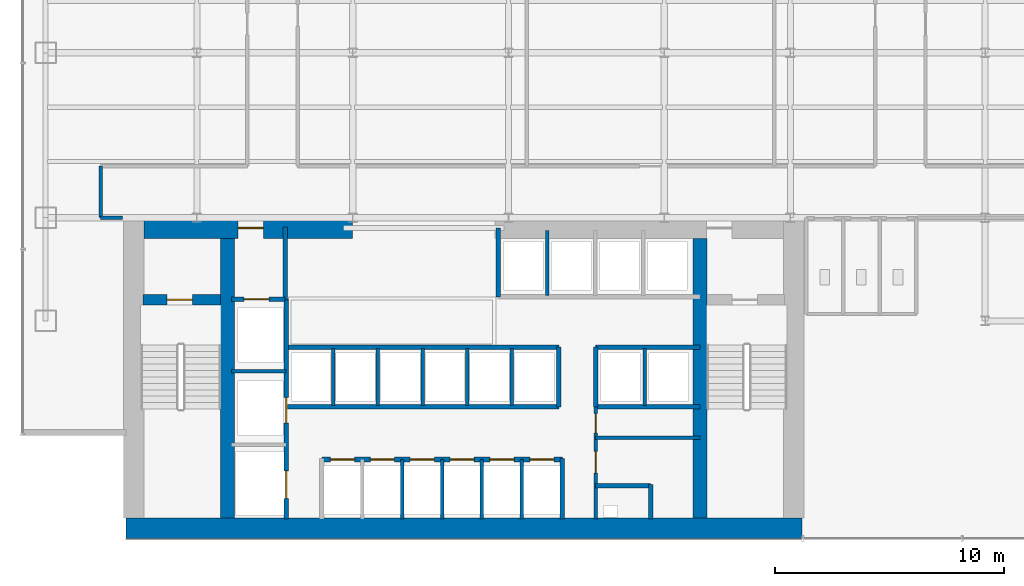
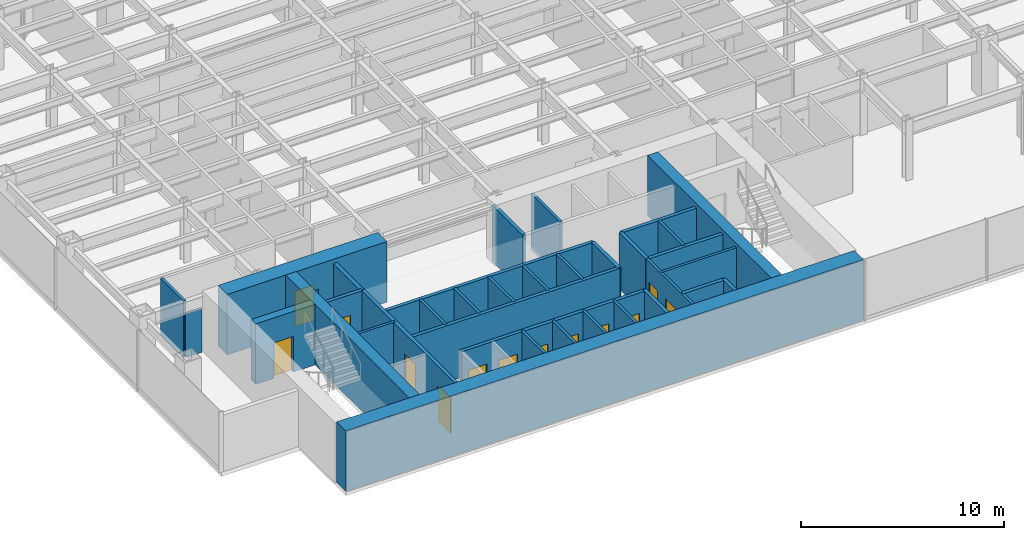
# One storey, part 17 of 22: 35 walls, 13 doors, 13 openings.
"""IFC4 building model written with IfcOpenShell, lengths in metres."""

from ifc_helpers import new_model, si_unit, derived_unit, direction, frame, frame_2d, origin, place, context, subcontext, project, spatial, rectangle, extrude, source, transform, mapped, material, layer, layer_set, type_object, element, fill, save


model = new_model("IFC4")

# Units and contexts
model_context = context("Model", 3, precision=1e-05, world=origin(), true_north=direction((0.0, 1.0)))
body_context = subcontext(model_context, "Body", "Model", "MODEL_VIEW")
ifc_project = project(units=[si_unit("LENGTHUNIT", "METRE"), si_unit("AREAUNIT", "SQUARE_METRE"), si_unit("VOLUMEUNIT", "CUBIC_METRE"), si_unit("PLANEANGLEUNIT", "RADIAN"), si_unit("MASSUNIT", "GRAM", prefix="KILO"), derived_unit("THERMALTRANSMITTANCEUNIT", [(si_unit("POWERUNIT", "WATT"), 1), (si_unit("LENGTHUNIT", "METRE"), -2), (si_unit("THERMODYNAMICTEMPERATUREUNIT", "KELVIN"), -1)])], contexts=[model_context])

# Site, building, storey
site_placement = place(None, origin())
site = spatial("IfcSite", under=ifc_project, at=site_placement, CompositionType="ELEMENT")
building_placement = place(site_placement, origin())
building = spatial("IfcBuilding", under=site, at=building_placement, Name="Skarnbrae Concourse Arena and Tower", CompositionType="ELEMENT")
storey_placement = place(building_placement, frame((0.0, 0.0, 72.64990234375)))
storey = spatial("IfcBuildingStorey", under=building, at=storey_placement, Name="L17", CompositionType="ELEMENT", Elevation=72.64990234375)

# Wall
ifc_material_1 = material(Name="Concrete 70 MPa (C70/85)", Category="concrete")
ifc_layer_1 = layer(ifc_material_1, 0.89990234375)
ifc_layer_set_1 = layer_set([ifc_layer_1], Name="Concrete 70 MPa (C70/85)")
wall_type_1 = type_object("IfcWallType", Name="WALL-CORE-900-C70", PredefinedType="SHEAR", material=ifc_layer_set_1)
shared_shape_1 = source(origin(), body_context, "Body", "SweptSolid", [
    extrude(rectangle(XDim=29.5, YDim=0.89990234375, at=frame_2d((14.75, 0.0))), origin(), (0.0, 0.0, 1.0), 3.650146484375),
])
wall_1_placement = place(storey_placement, frame((4.5, 0.449951171875, 0.0), z_axis=(0.0, 0.0, 1.0), x_axis=(1.0, 0.0, 0.0)))
element("IfcWall", 1, at=wall_1_placement, inside=storey, type_object=wall_type_1, Name="L17 Rear core shear wall CW-S", PredefinedType="SHEAR", context=body_context, shape_type="MappedRepresentation", body=[
    mapped(shared_shape_1, transform((0.0, 0.0, 0.0))),
])

# Wall, opening, door
shared_shape_2 = source(origin(), body_context, "Body", "SweptSolid", [
    extrude(rectangle(XDim=9.099853515625, YDim=0.89990234375, at=frame_2d((4.5498046875, 0.0))), origin(), (0.0, 0.0, 1.0), 3.650146484375),
])
wall_2_placement = place(storey_placement, frame((5.300048828125, 13.550048828125, 0.0), z_axis=(0.0, 0.0, 1.0), x_axis=(1.0, 0.0, 0.0)))
wall_2 = element("IfcWall", 2, at=wall_2_placement, inside=storey, type_object=wall_type_1, Name="L17 Rear core shear wall CW-NW", PredefinedType="SHEAR", context=body_context, shape_type="MappedRepresentation", body=[
    mapped(shared_shape_2, transform((0.0, 0.0, 0.0))),
])
opening_1_placement = place(wall_2_placement, frame((4.10009765625, 0.0, 0.0)))
opening_1 = element("IfcOpeningElement", 3, at=opening_1_placement, cuts=wall_2, Name="Opening DT-03", PredefinedType="OPENING", context=body_context, shape_type="SweptSolid", body=[
    extrude(rectangle(XDim=1.10009765625, YDim=2.14990234375, at=frame_2d((0.550048828125, 1.074951171875))), frame((0.0, 0.4599609375, 0.0), z_axis=(0.0, -1.0, 0.0), x_axis=(1.0, 0.0, 0.0)), (0.0, 0.0, 1.0), 0.919921875),
])
ifc_material_2 = material(Name="Steel CSA G40.21 350W", Category="steel")
door_type_1 = type_object("IfcDoorType", Name="DOOR-FIRE-1100-90M", OperationType="NOTDEFINED", PredefinedType="DOOR", material=ifc_material_2)
shared_shape_3 = source(origin(), body_context, "Body", "SweptSolid", [
    extrude(rectangle(XDim=1.10009765625, YDim=2.14990234375, at=frame_2d((0.550048828125, 1.074951171875))), frame((0.0, 0.02490234375, 0.0), z_axis=(0.0, -1.0, 0.0), x_axis=(1.0, 0.0, 0.0)), (0.0, 0.0, 1.0), 0.050048828125),
])
door_1_placement = place(opening_1_placement, origin())
door_1 = element("IfcDoor", 4, at=door_1_placement, inside=storey, type_object=door_type_1, Name="D-0633 Firefighting Lobby Exit Door", OperationType="SINGLE_SWING_RIGHT", OverallHeight=2.14990234375, OverallWidth=1.10009765625, PredefinedType="DOOR", context=body_context, shape_type="MappedRepresentation", body=[
    mapped(shared_shape_3, transform((0.0, 0.0, 0.0))),
])
fill(opening_1, door_1)

# Walls
ifc_layer_2 = layer(ifc_material_1, 0.60009765625)
ifc_layer_set_2 = layer_set([ifc_layer_2], Name="Concrete 70 MPa (C70/85)")
wall_type_2 = type_object("IfcWallType", Name="WALL-CORE-600-C70", PredefinedType="SHEAR", material=ifc_layer_set_2)
shared_shape_4 = source(origin(), body_context, "Body", "SweptSolid", [
    extrude(rectangle(XDim=12.2001953125, YDim=0.60009765625, at=frame_2d((6.10009765625, 0.0))), origin(), (0.0, 0.0, 1.0), 3.650146484375),
])
for number, where, z_axis, x_axis, name in (
    (5, (8.93994140625, 0.89990234375, 0.0), (0.0, 0.0, 1.0), (0.0, 1.0, 0.0), "L17 Rear core shear wall CW-WEB-W"),
    (6, (29.56005859375, 0.89990234375, 0.0), (0.0, 0.0, 1.0), (0.0, 1.0, 0.0), "L17 Rear core shear wall CW-WEB-E"),
):
    element("IfcWall", number, at=place(storey_placement, frame(where, z_axis=z_axis, x_axis=x_axis)), inside=storey, type_object=wall_type_2, Name=name, PredefinedType="SHEAR", context=body_context, shape_type="MappedRepresentation", body=[
        mapped(shared_shape_4, transform((0.0, 0.0, 0.0))),
    ])

# Wall, opening, door
ifc_material_3 = material(Name="Concrete 50 MPa (C50/60)", Category="concrete")
ifc_layer_3 = layer(ifc_material_3, 0.449951171875)
ifc_layer_set_3 = layer_set([ifc_layer_3], Name="Concrete 50 MPa (C50/60)")
wall_type_3 = type_object("IfcWallType", Name="WALL-CORE-450-C50", PredefinedType="SHEAR", material=ifc_layer_set_3)
shared_shape_5 = source(origin(), body_context, "Body", "SweptSolid", [
    extrude(rectangle(XDim=3.389892578125, YDim=0.449951171875, at=frame_2d((1.69482421875, 0.0))), origin(), (0.0, 0.0, 1.0), 3.650146484375),
])
wall_3_placement = place(storey_placement, frame((5.25, 10.419921875, 0.0), z_axis=(0.0, 0.0, 1.0), x_axis=(1.0, 0.0, 0.0)))
wall_3 = element("IfcWall", 7, at=wall_3_placement, inside=storey, type_object=wall_type_3, Name="L17 Rear core shear wall CW-ST1-N", PredefinedType="SHEAR", context=body_context, shape_type="MappedRepresentation", body=[
    mapped(shared_shape_5, transform((0.0, 0.0, 0.0))),
])
opening_2_placement = place(wall_3_placement, frame((1.050048828125, 0.0, 0.0)))
opening_2 = element("IfcOpeningElement", 8, at=opening_2_placement, cuts=wall_3, Name="Opening DT-03", PredefinedType="OPENING", context=body_context, shape_type="SweptSolid", body=[
    extrude(rectangle(XDim=1.10009765625, YDim=2.14990234375, at=frame_2d((0.550048828125, 1.074951171875))), frame((0.0, 0.23486328125, 0.0), z_axis=(0.0, -1.0, 0.0), x_axis=(1.0, 0.0, 0.0)), (0.0, 0.0, 1.0), 0.469970703125),
])
door_2_placement = place(opening_2_placement, frame((1.10009765625, 0.0, 0.0), z_axis=(0.0, 0.0, 1.0), x_axis=(-1.0, 0.0, 0.0)))
door_2 = element("IfcDoor", 9, at=door_2_placement, inside=storey, type_object=door_type_1, Name="D-0631 Stair ST-1 Door", OperationType="SINGLE_SWING_LEFT", OverallHeight=2.14990234375, OverallWidth=1.10009765625, PredefinedType="DOOR", context=body_context, shape_type="MappedRepresentation", body=[
    mapped(shared_shape_3, transform((0.0, 0.0, 0.0))),
])
fill(opening_2, door_2)

# Walls
ifc_material_4 = material(Name="Gypsum board on cold-formed steel studs", Category="steel")
ifc_layer_4 = layer(ifc_material_4, 0.14990234375)
ifc_layer_set_4 = layer_set([ifc_layer_4], Name="Gypsum board on cold-formed steel studs")
wall_type_4 = type_object("IfcWallType", Name="WALL-PART-150-1HR", PredefinedType="PARTITIONING", material=ifc_layer_set_4)
shared_shape_6 = source(origin(), body_context, "Body", "SweptSolid", [
    extrude(rectangle(XDim=0.9501953125, YDim=0.14990234375, at=frame_2d((0.47509765625, 0.0))), origin(), (0.0, 0.0, 1.0), 2.625),
])
wall_4_placement = place(storey_placement, frame((4.35009765625, 14.0, 0.0), z_axis=(0.0, 0.0, 1.0), x_axis=(-1.0, 0.0, 0.0)))
element("IfcWall", 10, at=wall_4_placement, inside=storey, type_object=wall_type_4, Name="L17 Interior partition wall W-L17-COR-01", PredefinedType="PARTITIONING", context=body_context, shape_type="MappedRepresentation", body=[
    mapped(shared_shape_6, transform((0.0, 0.0, 0.0))),
])
ifc_layer_5 = layer(ifc_material_4, 0.199951171875)
ifc_layer_set_5 = layer_set([ifc_layer_5], Name="Gypsum board on cold-formed steel studs")
wall_type_5 = type_object("IfcWallType", Name="WALL-PART-200-2HR", PredefinedType="PARTITIONING", material=ifc_layer_set_5)
shared_shape_7 = source(origin(), body_context, "Body", "SweptSolid", [
    extrude(rectangle(XDim=3.18017578125, YDim=0.199951171875, at=frame_2d((1.590087890625, 0.0))), origin(), (0.0, 0.0, 1.0), 3.400146484375),
])
wall_5_placement = place(storey_placement, frame((11.449951171875, 10.419921875, 0.0), z_axis=(0.0, 0.0, 1.0), x_axis=(0.0, 1.0, 0.0)))
element("IfcWall", 11, at=wall_5_placement, inside=storey, type_object=wall_type_5, Name="L17 Interior partition wall W-L17-FFL-E", PredefinedType="PARTITIONING", context=body_context, shape_type="MappedRepresentation", body=[
    mapped(shared_shape_7, transform((0.0, 0.0, 0.0))),
])

# Wall, opening, door
shared_shape_8 = source(origin(), body_context, "Body", "SweptSolid", [
    extrude(rectangle(XDim=2.349853515625, YDim=0.199951171875, at=frame_2d((1.1748046875, 0.0))), origin(), (0.0, 0.0, 1.0), 3.400146484375),
])
wall_6_placement = place(storey_placement, frame((9.10009765625, 10.449951171875, 0.0), z_axis=(0.0, 0.0, 1.0), x_axis=(1.0, 0.0, 0.0)))
wall_6 = element("IfcWall", 12, at=wall_6_placement, inside=storey, type_object=wall_type_5, Name="L17 Interior partition wall W-L17-FL1-N", PredefinedType="PARTITIONING", context=body_context, shape_type="MappedRepresentation", body=[
    mapped(shared_shape_8, transform((0.0, 0.0, 0.0))),
])
opening_3_placement = place(wall_6_placement, frame((0.550048828125, 0.0, 0.0)))
opening_3 = element("IfcOpeningElement", 13, at=opening_3_placement, cuts=wall_6, Name="Opening LD-01", PredefinedType="OPENING", context=body_context, shape_type="SweptSolid", body=[
    extrude(rectangle(XDim=1.10009765625, YDim=2.14990234375, at=frame_2d((0.550048828125, 1.074951171875))), frame((0.0, 0.10986328125, 0.0), z_axis=(0.0, -1.0, 0.0), x_axis=(1.0, 0.0, 0.0)), (0.0, 0.0, 1.0), 0.219970703125),
])
door_type_2 = type_object("IfcDoorType", Name="DOOR-LIFT-SLIDE-1100", OperationType="SLIDING_TO_LEFT", PredefinedType="DOOR", material=ifc_material_2)
door_3_placement = place(opening_3_placement, origin())
door_3 = element("IfcDoor", 14, at=door_3_placement, inside=storey, type_object=door_type_2, Name="D-0635 Firefighting Lift Landing Door FL-01", OperationType="SLIDING_TO_LEFT", OverallHeight=2.14990234375, OverallWidth=1.10009765625, PredefinedType="DOOR", context=body_context, shape_type="MappedRepresentation", body=[
    mapped(shared_shape_3, transform((0.0, 0.0, 0.0))),
])
fill(opening_3, door_3)

# Wall, openings, doors
shared_shape_9 = source(origin(), body_context, "Body", "SweptSolid", [
    extrude(rectangle(XDim=9.599853515625, YDim=0.199951171875, at=frame_2d((4.7998046875, 0.0))), origin(), (0.0, 0.0, 1.0), 3.400146484375),
])
wall_7_placement = place(storey_placement, frame((11.5, 0.85009765625, 0.0), z_axis=(0.0, 0.0, 1.0), x_axis=(0.0, 1.0, 0.0)))
wall_7 = element("IfcWall", 15, at=wall_7_placement, inside=storey, type_object=wall_type_5, Name="L17 Interior partition wall W-L17-FL-E", PredefinedType="PARTITIONING", context=body_context, shape_type="MappedRepresentation", body=[
    mapped(shared_shape_9, transform((0.0, 0.0, 0.0))),
])
opening_4_placement = place(wall_7_placement, frame((4.199951171875, 0.0, 0.0)))
opening_4 = element("IfcOpeningElement", 16, at=opening_4_placement, cuts=wall_7, Name="Opening LD-01", PredefinedType="OPENING", context=body_context, shape_type="SweptSolid", body=[
    extrude(rectangle(XDim=1.10009765625, YDim=2.14990234375, at=frame_2d((0.550048828125, 1.074951171875))), frame((0.0, 0.10986328125, 0.0), z_axis=(0.0, -1.0, 0.0), x_axis=(1.0, 0.0, 0.0)), (0.0, 0.0, 1.0), 0.219970703125),
])
opening_5_placement = place(wall_7_placement, frame((0.89990234375, 0.0, 0.0)))
opening_5 = element("IfcOpeningElement", 17, at=opening_5_placement, cuts=wall_7, Name="Opening LD-02", PredefinedType="OPENING", context=body_context, shape_type="SweptSolid", body=[
    extrude(rectangle(XDim=1.199951171875, YDim=2.14990234375, at=frame_2d((0.60009765625, 1.074951171875))), frame((0.0, 0.10986328125, 0.0), z_axis=(0.0, -1.0, 0.0), x_axis=(1.0, 0.0, 0.0)), (0.0, 0.0, 1.0), 0.219970703125),
])
door_4_placement = place(opening_4_placement, frame((1.10009765625, 0.0, 0.0), z_axis=(0.0, 0.0, 1.0), x_axis=(-1.0, 0.0, 0.0)))
door_4 = element("IfcDoor", 18, at=door_4_placement, inside=storey, type_object=door_type_2, Name="D-0636 Firefighting Lift Landing Door FL-02", OperationType="SLIDING_TO_LEFT", OverallHeight=2.14990234375, OverallWidth=1.10009765625, PredefinedType="DOOR", context=body_context, shape_type="MappedRepresentation", body=[
    mapped(shared_shape_3, transform((0.0, 0.0, 0.0))),
])
fill(opening_4, door_4)
door_type_3 = type_object("IfcDoorType", Name="DOOR-LIFT-SLIDE-1200", OperationType="SLIDING_TO_LEFT", PredefinedType="DOOR", material=ifc_material_2)
shared_shape_10 = source(origin(), body_context, "Body", "SweptSolid", [
    extrude(rectangle(XDim=1.199951171875, YDim=2.14990234375, at=frame_2d((0.60009765625, 1.074951171875))), frame((0.0, 0.02490234375, 0.0), z_axis=(0.0, -1.0, 0.0), x_axis=(1.0, 0.0, 0.0)), (0.0, 0.0, 1.0), 0.050048828125),
])
door_5_placement = place(opening_5_placement, frame((1.199951171875, 0.0, 0.0), z_axis=(0.0, 0.0, 1.0), x_axis=(-1.0, 0.0, 0.0)))
door_5 = element("IfcDoor", 19, at=door_5_placement, inside=storey, type_object=door_type_3, Name="D-0637 Service Lift Landing Door SV-01", OperationType="SLIDING_TO_LEFT", OverallHeight=2.14990234375, OverallWidth=1.199951171875, PredefinedType="DOOR", context=body_context, shape_type="MappedRepresentation", body=[
    mapped(shared_shape_10, transform((0.0, 0.0, 0.0))),
])
fill(opening_5, door_5)

# Walls
ifc_layer_6 = layer(ifc_material_4, 0.14990234375)
ifc_layer_set_6 = layer_set([ifc_layer_6], Name="Gypsum board on cold-formed steel studs")
wall_type_6 = type_object("IfcWallType", Name="WALL-PART-150", PredefinedType="PARTITIONING", material=ifc_layer_set_6)
shared_shape_11 = source(origin(), body_context, "Body", "SweptSolid", [
    extrude(rectangle(XDim=2.39990234375, YDim=0.14990234375, at=frame_2d((1.199951171875, 0.0))), origin(), (0.0, 0.0, 1.0), 3.400146484375),
])
wall_8_placement = place(storey_placement, frame((9.10009765625, 7.300048828125, 0.0), z_axis=(0.0, 0.0, 1.0), x_axis=(1.0, 0.0, 0.0)))
element("IfcWall", 20, at=wall_8_placement, inside=storey, type_object=wall_type_6, Name="L17 Interior partition wall W-L17-FL-D2", PredefinedType="PARTITIONING", context=body_context, shape_type="MappedRepresentation", body=[
    mapped(shared_shape_11, transform((0.0, 0.0, 0.0))),
])
shared_shape_12 = source(origin(), body_context, "Body", "SweptSolid", [
    extrude(rectangle(XDim=2.64990234375, YDim=0.199951171875, at=frame_2d((1.324951171875, 0.0))), origin(), (0.0, 0.0, 1.0), 3.400146484375),
])
wall_9_placement = place(storey_placement, frame((23.550048828125, 0.85009765625, 0.0), z_axis=(0.0, 0.0, 1.0), x_axis=(0.0, 1.0, 0.0)))
element("IfcWall", 21, at=wall_9_placement, inside=storey, type_object=wall_type_5, Name="L17 Interior partition wall W-L17-B1-E", PredefinedType="PARTITIONING", context=body_context, shape_type="MappedRepresentation", body=[
    mapped(shared_shape_12, transform((0.0, 0.0, 0.0))),
])

# Wall, openings, doors
shared_shape_13 = source(origin(), body_context, "Body", "SweptSolid", [
    extrude(rectangle(XDim=10.5, YDim=0.199951171875, at=frame_2d((5.25, 0.0))), origin(), (0.0, 0.0, 1.0), 3.400146484375),
])
wall_10_placement = place(storey_placement, frame((13.050048828125, 3.449951171875, 0.0), z_axis=(0.0, 0.0, 1.0), x_axis=(1.0, 0.0, 0.0)))
wall_10 = element("IfcWall", 22, at=wall_10_placement, inside=storey, type_object=wall_type_5, Name="L17 Interior partition wall W-L17-B1-N", PredefinedType="PARTITIONING", context=body_context, shape_type="MappedRepresentation", body=[
    mapped(shared_shape_13, transform((0.0, 0.0, 0.0))),
])
opening_6_placement = place(wall_10_placement, frame((0.3798828125, 0.0, 0.0)))
opening_6 = element("IfcOpeningElement", 23, at=opening_6_placement, cuts=wall_10, Name="Opening LD-03", PredefinedType="OPENING", context=body_context, shape_type="SweptSolid", body=[
    extrude(rectangle(XDim=1.050048828125, YDim=2.14990234375, at=frame_2d((0.52490234375, 1.074951171875))), frame((0.0, 0.10986328125, 0.0), z_axis=(0.0, -1.0, 0.0), x_axis=(1.0, 0.0, 0.0)), (0.0, 0.0, 1.0), 0.219970703125),
])
opening_7_placement = place(wall_10_placement, frame((2.1201171875, 0.0, 0.0)))
opening_7 = element("IfcOpeningElement", 24, at=opening_7_placement, cuts=wall_10, Name="Opening LD-03", PredefinedType="OPENING", context=body_context, shape_type="SweptSolid", body=[
    extrude(rectangle(XDim=1.050048828125, YDim=2.14990234375, at=frame_2d((0.52490234375, 1.074951171875))), frame((0.0, 0.10986328125, 0.0), z_axis=(0.0, -1.0, 0.0), x_axis=(1.0, 0.0, 0.0)), (0.0, 0.0, 1.0), 0.219970703125),
])
opening_8_placement = place(wall_10_placement, frame((3.860107421875, 0.0, 0.0)))
opening_8 = element("IfcOpeningElement", 25, at=opening_8_placement, cuts=wall_10, Name="Opening LD-03", PredefinedType="OPENING", context=body_context, shape_type="SweptSolid", body=[
    extrude(rectangle(XDim=1.050048828125, YDim=2.14990234375, at=frame_2d((0.52490234375, 1.074951171875))), frame((0.0, 0.10986328125, 0.0), z_axis=(0.0, -1.0, 0.0), x_axis=(1.0, 0.0, 0.0)), (0.0, 0.0, 1.0), 0.219970703125),
])
opening_9_placement = place(wall_10_placement, frame((5.60009765625, 0.0, 0.0)))
opening_9 = element("IfcOpeningElement", 26, at=opening_9_placement, cuts=wall_10, Name="Opening LD-03", PredefinedType="OPENING", context=body_context, shape_type="SweptSolid", body=[
    extrude(rectangle(XDim=1.050048828125, YDim=2.14990234375, at=frame_2d((0.52490234375, 1.074951171875))), frame((0.0, 0.10986328125, 0.0), z_axis=(0.0, -1.0, 0.0), x_axis=(1.0, 0.0, 0.0)), (0.0, 0.0, 1.0), 0.219970703125),
])
opening_10_placement = place(wall_10_placement, frame((7.340087890625, 0.0, 0.0)))
opening_10 = element("IfcOpeningElement", 27, at=opening_10_placement, cuts=wall_10, Name="Opening LD-03", PredefinedType="OPENING", context=body_context, shape_type="SweptSolid", body=[
    extrude(rectangle(XDim=1.050048828125, YDim=2.14990234375, at=frame_2d((0.52490234375, 1.074951171875))), frame((0.0, 0.10986328125, 0.0), z_axis=(0.0, -1.0, 0.0), x_axis=(1.0, 0.0, 0.0)), (0.0, 0.0, 1.0), 0.219970703125),
])
opening_11_placement = place(wall_10_placement, frame((9.080078125, 0.0, 0.0)))
opening_11 = element("IfcOpeningElement", 28, at=opening_11_placement, cuts=wall_10, Name="Opening LD-03", PredefinedType="OPENING", context=body_context, shape_type="SweptSolid", body=[
    extrude(rectangle(XDim=1.050048828125, YDim=2.14990234375, at=frame_2d((0.52490234375, 1.074951171875))), frame((0.0, 0.10986328125, 0.0), z_axis=(0.0, -1.0, 0.0), x_axis=(1.0, 0.0, 0.0)), (0.0, 0.0, 1.0), 0.219970703125),
])
ifc_material_5 = material(Name="Bronze anodised aluminium 6063-T6", Category="aluminium")
door_type_4 = type_object("IfcDoorType", Name="DOOR-LIFT-SLIDE-1050", OperationType="SLIDING_TO_LEFT", PredefinedType="DOOR", material=ifc_material_5)
shared_shape_14 = source(origin(), body_context, "Body", "SweptSolid", [
    extrude(rectangle(XDim=1.050048828125, YDim=2.14990234375, at=frame_2d((0.52490234375, 1.074951171875))), frame((0.0, 0.02490234375, 0.0), z_axis=(0.0, -1.0, 0.0), x_axis=(1.0, 0.0, 0.0)), (0.0, 0.0, 1.0), 0.050048828125),
])
door_6_placement = place(opening_6_placement, origin())
door_6 = element("IfcDoor", 29, at=door_6_placement, inside=storey, type_object=door_type_4, Name="D-0638 Passenger Lift Landing Door PL-1A", OperationType="SLIDING_TO_LEFT", OverallHeight=2.14990234375, OverallWidth=1.050048828125, PredefinedType="DOOR", context=body_context, shape_type="MappedRepresentation", body=[
    mapped(shared_shape_14, transform((0.0, 0.0, 0.0))),
])
fill(opening_6, door_6)
door_7_placement = place(opening_7_placement, origin())
door_7 = element("IfcDoor", 30, at=door_7_placement, inside=storey, type_object=door_type_4, Name="D-0639 Passenger Lift Landing Door PL-1B", OperationType="SLIDING_TO_LEFT", OverallHeight=2.14990234375, OverallWidth=1.050048828125, PredefinedType="DOOR", context=body_context, shape_type="MappedRepresentation", body=[
    mapped(shared_shape_14, transform((0.0, 0.0, 0.0))),
])
fill(opening_7, door_7)
door_8_placement = place(opening_8_placement, origin())
door_8 = element("IfcDoor", 31, at=door_8_placement, inside=storey, type_object=door_type_4, Name="D-0640 Passenger Lift Landing Door PL-1C", OperationType="SLIDING_TO_LEFT", OverallHeight=2.14990234375, OverallWidth=1.050048828125, PredefinedType="DOOR", context=body_context, shape_type="MappedRepresentation", body=[
    mapped(shared_shape_14, transform((0.0, 0.0, 0.0))),
])
fill(opening_8, door_8)
door_9_placement = place(opening_9_placement, origin())
door_9 = element("IfcDoor", 32, at=door_9_placement, inside=storey, type_object=door_type_4, Name="D-0641 Passenger Lift Landing Door PL-1D", OperationType="SLIDING_TO_LEFT", OverallHeight=2.14990234375, OverallWidth=1.050048828125, PredefinedType="DOOR", context=body_context, shape_type="MappedRepresentation", body=[
    mapped(shared_shape_14, transform((0.0, 0.0, 0.0))),
])
fill(opening_9, door_9)
door_10_placement = place(opening_10_placement, origin())
door_10 = element("IfcDoor", 33, at=door_10_placement, inside=storey, type_object=door_type_4, Name="D-0642 Passenger Lift Landing Door PL-1E", OperationType="SLIDING_TO_LEFT", OverallHeight=2.14990234375, OverallWidth=1.050048828125, PredefinedType="DOOR", context=body_context, shape_type="MappedRepresentation", body=[
    mapped(shared_shape_14, transform((0.0, 0.0, 0.0))),
])
fill(opening_10, door_10)
door_11_placement = place(opening_11_placement, origin())
door_11 = element("IfcDoor", 34, at=door_11_placement, inside=storey, type_object=door_type_4, Name="D-0643 Passenger Lift Landing Door PL-1F", OperationType="SLIDING_TO_LEFT", OverallHeight=2.14990234375, OverallWidth=1.050048828125, PredefinedType="DOOR", context=body_context, shape_type="MappedRepresentation", body=[
    mapped(shared_shape_14, transform((0.0, 0.0, 0.0))),
])
fill(opening_11, door_11)

# Walls
shared_shape_15 = source(origin(), body_context, "Body", "SweptSolid", [
    extrude(rectangle(XDim=2.599853515625, YDim=0.14990234375, at=frame_2d((1.2998046875, 0.0))), origin(), (0.0, 0.0, 1.0), 3.400146484375),
])
for number, where, z_axis, x_axis, name in (
    (35, (16.56005859375, 0.85009765625, 0.0), (0.0, 0.0, 1.0), (0.0, 1.0, 0.0), "L17 Interior partition wall W-L17-B1-P2"),
    (36, (18.300048828125, 0.85009765625, 0.0), (0.0, 0.0, 1.0), (0.0, 1.0, 0.0), "L17 Interior partition wall W-L17-B1-P3"),
    (37, (20.0400390625, 0.85009765625, 0.0), (0.0, 0.0, 1.0), (0.0, 1.0, 0.0), "L17 Interior partition wall W-L17-B1-P4"),
    (38, (21.780029296875, 0.85009765625, 0.0), (0.0, 0.0, 1.0), (0.0, 1.0, 0.0), "L17 Interior partition wall W-L17-B1-P5"),
):
    element("IfcWall", number, at=place(storey_placement, frame(where, z_axis=z_axis, x_axis=x_axis)), inside=storey, type_object=wall_type_6, Name=name, PredefinedType="PARTITIONING", context=body_context, shape_type="MappedRepresentation", body=[
        mapped(shared_shape_15, transform((0.0, 0.0, 0.0))),
    ])
shared_shape_16 = source(origin(), body_context, "Body", "SweptSolid", [
    extrude(rectangle(XDim=11.849853515625, YDim=0.199951171875, at=frame_2d((5.9248046875, 0.0))), origin(), (0.0, 0.0, 1.0), 3.400146484375),
])
for number, where, z_axis, x_axis, name in (
    (39, (11.550048828125, 5.75, 0.0), (0.0, 0.0, 1.0), (1.0, 0.0, 0.0), "L17 Interior partition wall W-L17-B2-S"),
    (40, (11.550048828125, 8.35009765625, 0.0), (0.0, 0.0, 1.0), (1.0, 0.0, 0.0), "L17 Interior partition wall W-L17-B2-N"),
):
    element("IfcWall", number, at=place(storey_placement, frame(where, z_axis=z_axis, x_axis=x_axis)), inside=storey, type_object=wall_type_5, Name=name, PredefinedType="PARTITIONING", context=body_context, shape_type="MappedRepresentation", body=[
        mapped(shared_shape_16, transform((0.0, 0.0, 0.0))),
    ])
shared_shape_17 = source(origin(), body_context, "Body", "SweptSolid", [
    extrude(rectangle(XDim=2.60009765625, YDim=0.199951171875, at=frame_2d((1.300048828125, 0.0))), origin(), (0.0, 0.0, 1.0), 3.400146484375),
])
for number, where, z_axis, x_axis, name in (
    (41, (23.39990234375, 5.75, 0.0), (0.0, 0.0, 1.0), (0.0, 1.0, 0.0), "L17 Interior partition wall W-L17-B2-E"),
    (42, (25.0, 5.75, 0.0), (0.0, 0.0, 1.0), (0.0, 1.0, 0.0), "L17 Interior partition wall W-L17-B3S-W"),
):
    element("IfcWall", number, at=place(storey_placement, frame(where, z_axis=z_axis, x_axis=x_axis)), inside=storey, type_object=wall_type_5, Name=name, PredefinedType="PARTITIONING", context=body_context, shape_type="MappedRepresentation", body=[
        mapped(shared_shape_17, transform((0.0, 0.0, 0.0))),
    ])
shared_shape_18 = source(origin(), body_context, "Body", "SweptSolid", [
    extrude(rectangle(XDim=2.5, YDim=0.14990234375, at=frame_2d((1.25, 0.0))), origin(), (0.0, 0.0, 1.0), 3.400146484375),
])
for number, where, z_axis, x_axis, name in (
    (43, (13.550048828125, 5.800048828125, 0.0), (0.0, 0.0, 1.0), (0.0, 1.0, 0.0), "L17 Interior partition wall W-L17-B2-P1"),
    (44, (15.5, 5.800048828125, 0.0), (0.0, 0.0, 1.0), (0.0, 1.0, 0.0), "L17 Interior partition wall W-L17-B2-P2"),
    (45, (17.449951171875, 5.800048828125, 0.0), (0.0, 0.0, 1.0), (0.0, 1.0, 0.0), "L17 Interior partition wall W-L17-B2-P3"),
    (46, (19.39990234375, 5.800048828125, 0.0), (0.0, 0.0, 1.0), (0.0, 1.0, 0.0), "L17 Interior partition wall W-L17-B2-P4"),
    (47, (21.35009765625, 5.800048828125, 0.0), (0.0, 0.0, 1.0), (0.0, 1.0, 0.0), "L17 Interior partition wall W-L17-B2-P5"),
    (48, (27.139892578125, 5.800048828125, 0.0), (0.0, 0.0, 1.0), (0.0, 1.0, 0.0), "L17 Interior partition wall W-L17-B3S-P1"),
):
    element("IfcWall", number, at=place(storey_placement, frame(where, z_axis=z_axis, x_axis=x_axis)), inside=storey, type_object=wall_type_6, Name=name, PredefinedType="PARTITIONING", context=body_context, shape_type="MappedRepresentation", body=[
        mapped(shared_shape_18, transform((0.0, 0.0, 0.0))),
    ])
shared_shape_19 = source(origin(), body_context, "Body", "SweptSolid", [
    extrude(rectangle(XDim=3.0, YDim=0.199951171875, at=frame_2d((1.5, 0.0))), origin(), (0.0, 0.0, 1.0), 3.400146484375),
])
wall_11_placement = place(storey_placement, frame((20.75, 10.550048828125, 0.0), z_axis=(0.0, 0.0, 1.0), x_axis=(0.0, 1.0, 0.0)))
element("IfcWall", 49, at=wall_11_placement, inside=storey, type_object=wall_type_5, Name="L17 Interior partition wall W-L17-B3N-W", PredefinedType="PARTITIONING", context=body_context, shape_type="MappedRepresentation", body=[
    mapped(shared_shape_19, transform((0.0, 0.0, 0.0))),
])
shared_shape_20 = source(origin(), body_context, "Body", "SweptSolid", [
    extrude(rectangle(XDim=2.849853515625, YDim=0.14990234375, at=frame_2d((1.4248046875, 0.0))), origin(), (0.0, 0.0, 1.0), 3.400146484375),
])
wall_12_placement = place(storey_placement, frame((22.889892578125, 10.60009765625, 0.0), z_axis=(0.0, 0.0, 1.0), x_axis=(0.0, 1.0, 0.0)))
element("IfcWall", 50, at=wall_12_placement, inside=storey, type_object=wall_type_6, Name="L17 Interior partition wall W-L17-B3N-P1", PredefinedType="PARTITIONING", context=body_context, shape_type="MappedRepresentation", body=[
    mapped(shared_shape_20, transform((0.0, 0.0, 0.0))),
])
shared_shape_21 = source(origin(), body_context, "Body", "SweptSolid", [
    extrude(rectangle(XDim=4.550048828125, YDim=0.199951171875, at=frame_2d((2.27490234375, 0.0))), origin(), (0.0, 0.0, 1.0), 3.400146484375),
])
for number, where, z_axis, x_axis, name in (
    (51, (25.0, 8.35009765625, 0.0), (0.0, 0.0, 1.0), (1.0, 0.0, 0.0), "L17 Interior partition wall W-L17-B3S-N"),
    (52, (25.0, 5.75, 0.0), (0.0, 0.0, 1.0), (1.0, 0.0, 0.0), "L17 Interior partition wall W-L17-B3S-S"),
):
    element("IfcWall", number, at=place(storey_placement, frame(where, z_axis=z_axis, x_axis=x_axis)), inside=storey, type_object=wall_type_5, Name=name, PredefinedType="PARTITIONING", context=body_context, shape_type="MappedRepresentation", body=[
        mapped(shared_shape_21, transform((0.0, 0.0, 0.0))),
    ])

# Wall, openings, doors
shared_shape_22 = source(origin(), body_context, "Body", "SweptSolid", [
    extrude(rectangle(XDim=4.89990234375, YDim=0.14990234375, at=frame_2d((2.449951171875, 0.0))), origin(), (0.0, 0.0, 1.0), 3.400146484375),
])
wall_13_placement = place(storey_placement, frame((25.0, 0.85009765625, 0.0), z_axis=(0.0, 0.0, 1.0), x_axis=(0.0, 1.0, 0.0)))
wall_13 = element("IfcWall", 53, at=wall_13_placement, inside=storey, type_object=wall_type_4, Name="L17 Interior partition wall W-L17-CSV-W", PredefinedType="PARTITIONING", context=body_context, shape_type="MappedRepresentation", body=[
    mapped(shared_shape_22, transform((0.0, 0.0, 0.0))),
])
opening_12_placement = place(wall_13_placement, frame((2.0, 0.0, 0.0)))
opening_12 = element("IfcOpeningElement", 54, at=opening_12_placement, cuts=wall_13, Name="Opening DT-04", PredefinedType="OPENING", context=body_context, shape_type="SweptSolid", body=[
    extrude(rectangle(XDim=0.949951171875, YDim=2.14990234375, at=frame_2d((0.47509765625, 1.074951171875))), frame((0.0, 0.0849609375, 0.0), z_axis=(0.0, -1.0, 0.0), x_axis=(1.0, 0.0, 0.0)), (0.0, 0.0, 1.0), 0.169921875),
])
opening_13_placement = place(wall_13_placement, frame((3.75, 0.0, 0.0)))
opening_13 = element("IfcOpeningElement", 55, at=opening_13_placement, cuts=wall_13, Name="Opening DT-08", PredefinedType="OPENING", context=body_context, shape_type="SweptSolid", body=[
    extrude(rectangle(XDim=0.85009765625, YDim=2.14990234375, at=frame_2d((0.425048828125, 1.074951171875))), frame((0.0, 0.0849609375, 0.0), z_axis=(0.0, -1.0, 0.0), x_axis=(1.0, 0.0, 0.0)), (0.0, 0.0, 1.0), 0.169921875),
])
door_type_5 = type_object("IfcDoorType", Name="DOOR-INT-950-45M", OperationType="NOTDEFINED", PredefinedType="DOOR", material=ifc_material_2)
shared_shape_23 = source(origin(), body_context, "Body", "SweptSolid", [
    extrude(rectangle(XDim=0.949951171875, YDim=2.14990234375, at=frame_2d((0.47509765625, 1.074951171875))), frame((0.0, 0.02490234375, 0.0), z_axis=(0.0, -1.0, 0.0), x_axis=(1.0, 0.0, 0.0)), (0.0, 0.0, 1.0), 0.050048828125),
])
door_12_placement = place(opening_12_placement, origin())
door_12 = element("IfcDoor", 56, at=door_12_placement, inside=storey, type_object=door_type_5, Name="D-0644 Telemetry Room Door", OperationType="SINGLE_SWING_LEFT", OverallHeight=2.14990234375, OverallWidth=0.949951171875, PredefinedType="DOOR", context=body_context, shape_type="MappedRepresentation", body=[
    mapped(shared_shape_23, transform((0.0, 0.0, 0.0))),
])
fill(opening_12, door_12)
door_type_6 = type_object("IfcDoorType", Name="DOOR-INT-850-45M", OperationType="NOTDEFINED", PredefinedType="DOOR", material=ifc_material_2)
shared_shape_24 = source(origin(), body_context, "Body", "SweptSolid", [
    extrude(rectangle(XDim=0.85009765625, YDim=2.14990234375, at=frame_2d((0.425048828125, 1.074951171875))), frame((0.0, 0.02490234375, 0.0), z_axis=(0.0, -1.0, 0.0), x_axis=(1.0, 0.0, 0.0)), (0.0, 0.0, 1.0), 0.050048828125),
])
door_13_placement = place(opening_13_placement, origin())
door_13 = element("IfcDoor", 57, at=door_13_placement, inside=storey, type_object=door_type_6, Name="D-0645 Recycling Room Door", OperationType="SINGLE_SWING_RIGHT", OverallHeight=2.14990234375, OverallWidth=0.85009765625, PredefinedType="DOOR", context=body_context, shape_type="MappedRepresentation", body=[
    mapped(shared_shape_24, transform((0.0, 0.0, 0.0))),
])
fill(opening_13, door_13)

# Walls
shared_shape_25 = source(origin(), body_context, "Body", "SweptSolid", [
    extrude(rectangle(XDim=2.39990234375, YDim=0.199951171875, at=frame_2d((1.199951171875, 0.0))), origin(), (0.0, 0.0, 1.0), 3.400146484375),
])
wall_14_placement = place(storey_placement, frame((25.0, 2.300048828125, 0.0), z_axis=(0.0, 0.0, 1.0), x_axis=(1.0, 0.0, 0.0)))
element("IfcWall", 58, at=wall_14_placement, inside=storey, type_object=wall_type_5, Name="L17 Interior partition wall W-L17-MEP-N", PredefinedType="PARTITIONING", context=body_context, shape_type="MappedRepresentation", body=[
    mapped(shared_shape_25, transform((0.0, 0.0, 0.0))),
])
shared_shape_26 = source(origin(), body_context, "Body", "SweptSolid", [
    extrude(rectangle(XDim=1.5, YDim=0.199951171875, at=frame_2d((0.75, 0.0))), origin(), (0.0, 0.0, 1.0), 3.400146484375),
])
wall_15_placement = place(storey_placement, frame((27.39990234375, 0.85009765625, 0.0), z_axis=(0.0, 0.0, 1.0), x_axis=(0.0, 1.0, 0.0)))
element("IfcWall", 59, at=wall_15_placement, inside=storey, type_object=wall_type_5, Name="L17 Interior partition wall W-L17-MEP-E", PredefinedType="PARTITIONING", context=body_context, shape_type="MappedRepresentation", body=[
    mapped(shared_shape_26, transform((0.0, 0.0, 0.0))),
])
shared_shape_27 = source(origin(), body_context, "Body", "SweptSolid", [
    extrude(rectangle(XDim=2.25, YDim=0.14990234375, at=frame_2d((1.125, 0.0))), origin(), (0.0, 0.0, 1.0), 3.400146484375),
])
wall_16_placement = place(storey_placement, frame((3.39990234375, 14.0, 0.0), z_axis=(0.0, 0.0, 1.0), x_axis=(0.0, 1.0, 0.0)))
element("IfcWall", 60, at=wall_16_placement, inside=storey, type_object=wall_type_4, Name="L17 Interior partition wall W-L17-COR-02", PredefinedType="PARTITIONING", context=body_context, shape_type="MappedRepresentation", body=[
    mapped(shared_shape_27, transform((0.0, 0.0, 0.0))),
])
shared_shape_28 = source(origin(), body_context, "Body", "SweptSolid", [
    extrude(rectangle(XDim=4.550048828125, YDim=0.14990234375, at=frame_2d((2.27490234375, 0.0))), origin(), (0.0, 0.0, 1.0), 3.400146484375),
])
wall_17_placement = place(storey_placement, frame((25.0, 4.39990234375, 0.0), z_axis=(0.0, 0.0, 1.0), x_axis=(1.0, 0.0, 0.0)))
element("IfcWall", 61, at=wall_17_placement, inside=storey, type_object=wall_type_6, Name="L17 Interior partition wall W-L17-CSV-H", PredefinedType="PARTITIONING", context=body_context, shape_type="MappedRepresentation", body=[
    mapped(shared_shape_28, transform((0.0, 0.0, 0.0))),
])

save(model, "model.ifc")
